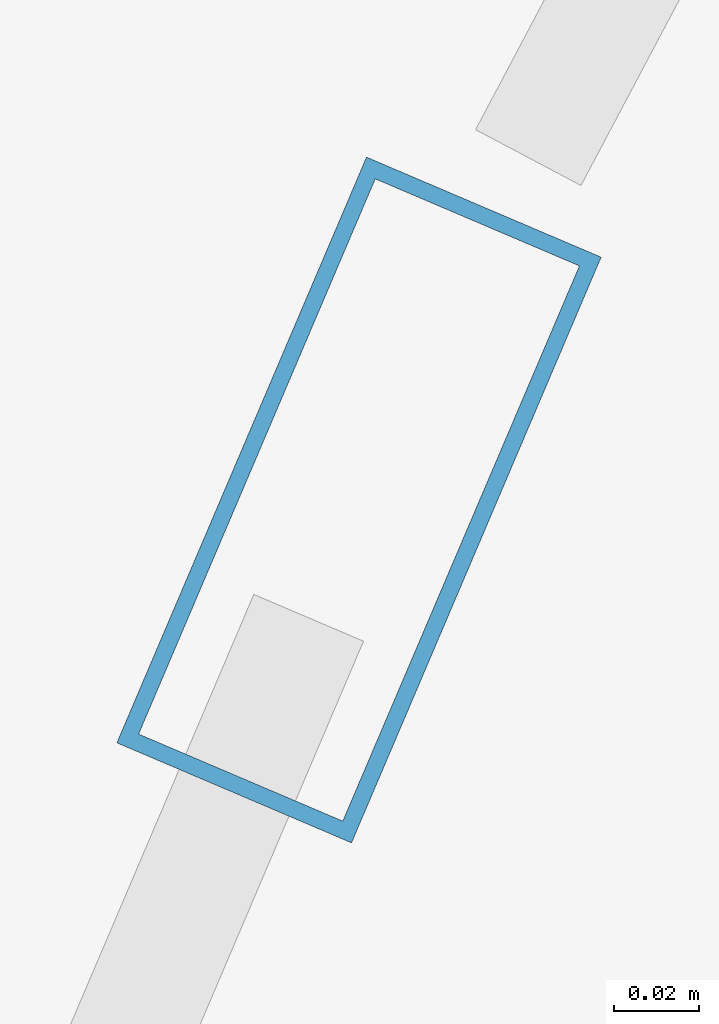
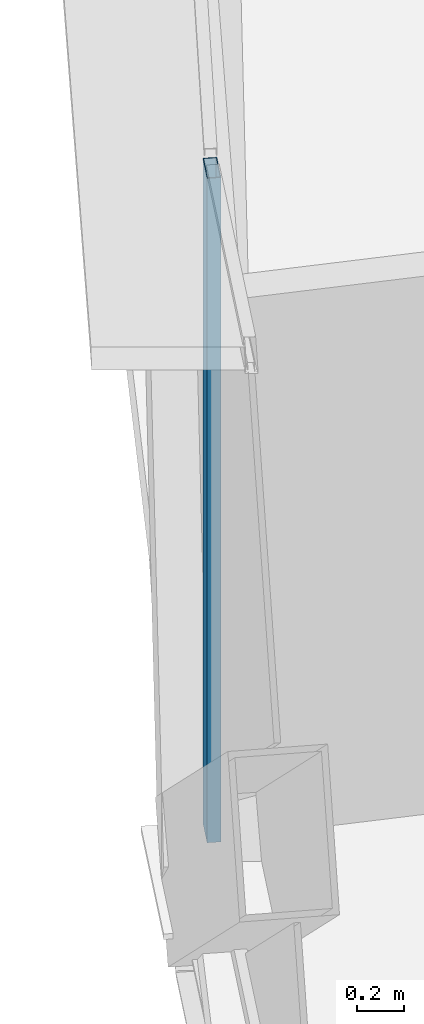
# One storey, part 8 of 42: 1 member, 1 element without a shape of its own.
"""IFC4 building model written with IfcOpenShell, lengths in metres."""

from ifc_helpers import new_model, si_unit, direction, frame, origin, origin_2d, place, context, subcontext, project, spatial, hollow_rectangle, extrude, source, transform, mapped, material, layer, layer_set, material_profile, profile_set, type_object, element, aggregate, save


model = new_model("IFC4")

# Units and contexts
model_context = context("Model", 3, precision=1e-05, world=origin(), true_north=direction((0.0, 1.0)))
body_context = subcontext(model_context, "Body", "Model", "MODEL_VIEW")
ifc_project = project(units=[si_unit("LENGTHUNIT", "METRE"), si_unit("AREAUNIT", "SQUARE_METRE"), si_unit("VOLUMEUNIT", "CUBIC_METRE"), si_unit("PLANEANGLEUNIT", "RADIAN"), si_unit("MASSUNIT", "GRAM", prefix="KILO"), si_unit("THERMODYNAMICTEMPERATUREUNIT", "KELVIN"), si_unit("POWERUNIT", "WATT")], contexts=[model_context])

# Site, building, storey
site_placement = place(None, origin())
site = spatial("IfcSite", under=ifc_project, at=site_placement, CompositionType="ELEMENT")
building_placement = place(site_placement, origin())
building = spatial("IfcBuilding", under=site, at=building_placement, Name="Yunzhuo Pagoda Commons", CompositionType="ELEMENT")
storey_placement = place(building_placement, frame((0.0, 0.0, 129.830078125)))
storey = spatial("IfcBuildingStorey", under=building, at=storey_placement, Name="L32", CompositionType="ELEMENT", Elevation=129.830078125)

# Curtain wall, member
ifc_material = material(Name="Anodized aluminium 6063-T6", Category="aluminium")
ifc_layer = layer(ifc_material, 0.14990234375)
ifc_layer_set = layer_set([ifc_layer], Name="Anodized aluminium 6063-T6")
curtain_wall_type = type_object("IfcCurtainWallType", Name="CW-MID Mid-Zone Ribbon Curtain Wall", PredefinedType="NOTDEFINED", material=ifc_layer_set)
curtain_wall_placement = place(storey_placement, origin())
curtain_wall = element("IfcCurtainWall", 1, at=curtain_wall_placement, inside=storey, type_object=curtain_wall_type, Name="L32 curtain wall CW-L32-F3B4", PredefinedType="NOTDEFINED")
ifc_material_profile = material_profile(ifc_material, hollow_rectangle(XDim=0.06005859375, YDim=0.14990234375, WallThickness=0.00390625, at=origin_2d()), Name="Anodized aluminium 6063-T6")
ifc_profile_set = profile_set([ifc_material_profile], Name="Anodized aluminium 6063-T6")
member_type = type_object("IfcMemberType", Name="CW-MID-M Mullion RHS 150x60x4", PredefinedType="MULLION", material=ifc_profile_set)
shared_shape = source(origin(), body_context, "Body", "SweptSolid", [
    extrude(hollow_rectangle(XDim=0.06005859375, YDim=0.14990234375, WallThickness=0.00390625, at=origin_2d()), origin(), (0.0, 0.0, 1.0), 3.419921875),
])
member_placement = place(storey_placement, frame((16.267822265625, 43.97900390625, 0.0), z_axis=(0.0, 0.0, 1.0), x_axis=(0.919928137274, -0.392087008522, 0.0)))
member = element("IfcMember", 2, at=member_placement, type_object=member_type, Name="CW mullion 1", PredefinedType="MULLION", context=body_context, shape_type="MappedRepresentation", body=[
    mapped(shared_shape, transform((0.0, 0.0, 0.0), scale=1.0)),
])
aggregate(curtain_wall, [member])

save(model, "model.ifc")
